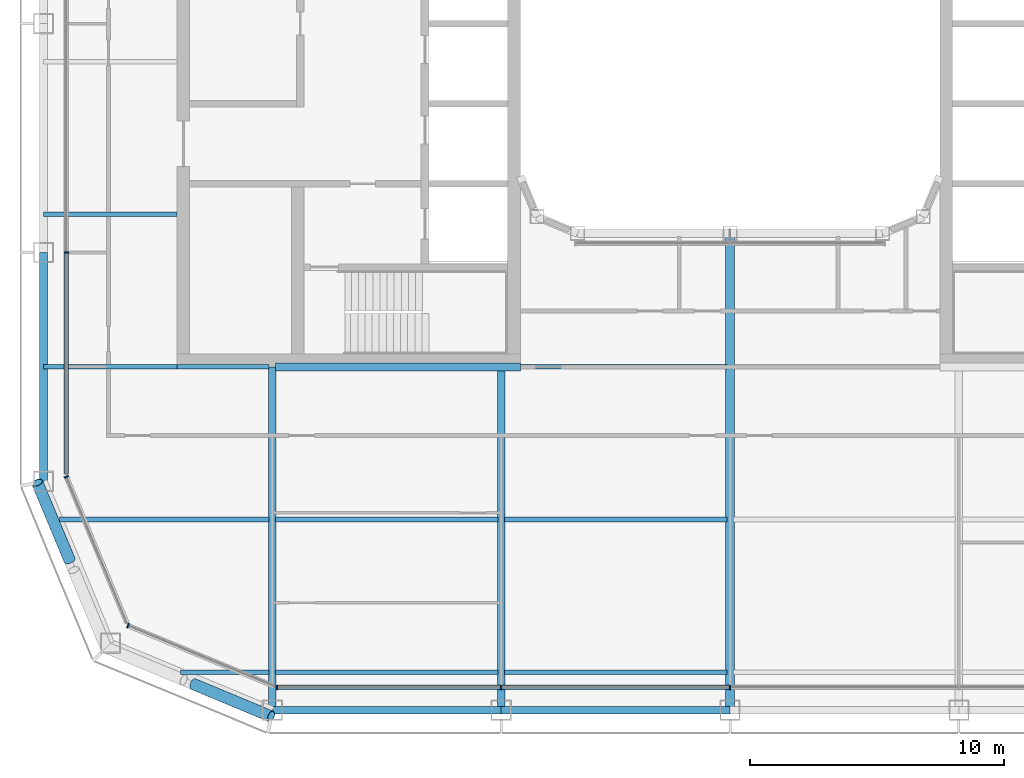
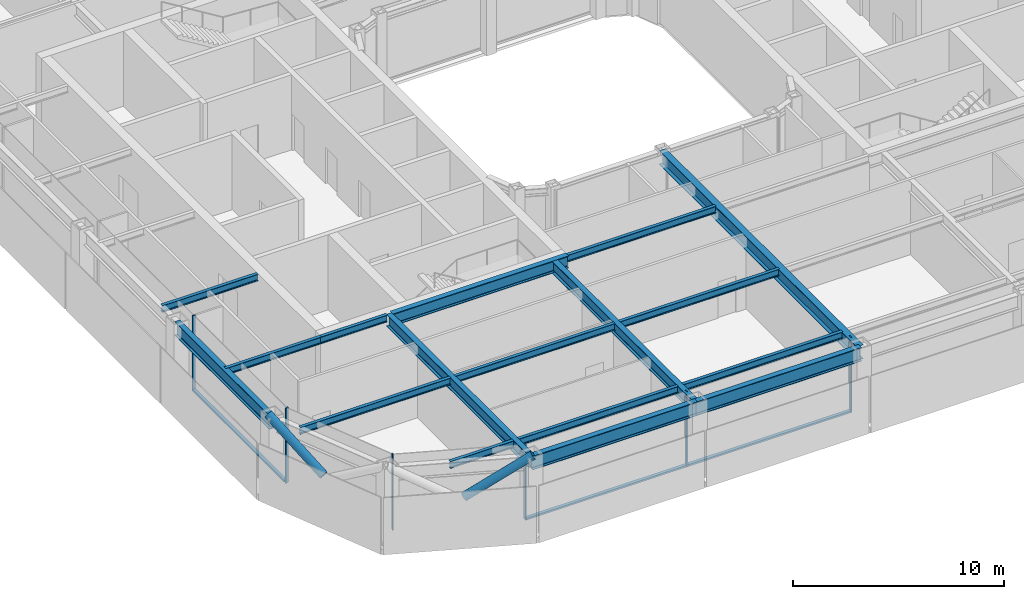
# One storey, part 2 of 23: 17 beams, 11 members, 4 elements without a shape of their own.
"""IFC4 building model written with IfcOpenShell, lengths in metres."""

from ifc_helpers import new_model, si_unit, direction, frame, origin, origin_2d, place, context, subcontext, project, spatial, rectangle, hollow_circle, i_section, extrude, material, layer, layer_set, material_profile, profile_set, type_object, element, aggregate, save


model = new_model("IFC4")

# Units and contexts
model_context = context("Model", 3, precision=1e-05, world=origin(), true_north=direction((0.0, 1.0)))
body_context = subcontext(model_context, "Body", "Model", "MODEL_VIEW")
ifc_project = project(units=[si_unit("LENGTHUNIT", "METRE"), si_unit("AREAUNIT", "SQUARE_METRE"), si_unit("VOLUMEUNIT", "CUBIC_METRE"), si_unit("PLANEANGLEUNIT", "RADIAN"), si_unit("MASSUNIT", "GRAM", prefix="KILO")], contexts=[model_context])

# Site, building, storey
site_placement = place(None, origin())
site = spatial("IfcSite", under=ifc_project, at=site_placement, CompositionType="ELEMENT")
building_placement = place(site_placement, origin())
building = spatial("IfcBuilding", under=site, at=building_placement, Name="Siwar Civic Tower", CompositionType="ELEMENT")
storey_placement = place(building_placement, frame((0.0, 0.0, 260.199951171875)))
storey = spatial("IfcBuildingStorey", under=building, at=storey_placement, Name="L56", CompositionType="ELEMENT", Elevation=260.199951171875)

# Curtain wall, members
ifc_material_1 = material(Name="Aluminium and glass", Category="aluminium")
ifc_layer_1 = layer(ifc_material_1, 0.179931640625)
ifc_layer_set_1 = layer_set([ifc_layer_1], Name="Aluminium and glass")
curtain_wall_type_1 = type_object("IfcCurtainWallType", Name="ENV-CW-C", PredefinedType="NOTDEFINED", material=ifc_layer_set_1)
curtain_wall_1_placement = place(storey_placement, origin())
curtain_wall_1 = element("IfcCurtainWall", 1, at=curtain_wall_1_placement, inside=storey, type_object=curtain_wall_type_1, Name="Curtain wall C S", PredefinedType="NOTDEFINED")
ifc_material_2 = material(Name="Aluminium 6063-T6", Category="aluminium")
ifc_material_profile_1 = material_profile(ifc_material_2, rectangle(XDim=0.179931640625, YDim=0.06005859375, at=origin_2d()), Name="AL 180x60")
ifc_profile_set_1 = profile_set([ifc_material_profile_1], Name="Aluminium 6063-T6")
member_type_1 = type_object("IfcMemberType", Name="ENV-MULLION-C", PredefinedType="MULLION", material=ifc_profile_set_1)
member_1_placement = place(storey_placement, frame((-17.821044921875, -26.10009765625, 0.0), z_axis=(0.0, 0.0, 1.0), x_axis=(0.0, 1.0, 0.0)))
member_1 = element("IfcMember", 2, at=member_1_placement, type_object=member_type_1, Name="Mullion C S 1", PredefinedType="MULLION", context=body_context, shape_type="SweptSolid", body=[
    extrude(rectangle(XDim=0.179931640625, YDim=0.06005859375, at=origin_2d()), origin(), (0.0, 0.0, 1.0), 4.35009765625),
])
member_2_placement = place(storey_placement, frame((-9.0, -26.10009765625, 0.0), z_axis=(0.0, 0.0, 1.0), x_axis=(0.0, 1.0, 0.0)))
member_2 = element("IfcMember", 3, at=member_2_placement, type_object=member_type_1, Name="Mullion C S 2", PredefinedType="MULLION", context=body_context, shape_type="SweptSolid", body=[
    extrude(rectangle(XDim=0.179931640625, YDim=0.06005859375, at=origin_2d()), origin(), (0.0, 0.0, 1.0), 4.35009765625),
])
member_3_placement = place(storey_placement, frame((0.0, -26.10009765625, 0.0), z_axis=(0.0, 0.0, 1.0), x_axis=(0.0, 1.0, 0.0)))
member_3 = element("IfcMember", 4, at=member_3_placement, type_object=member_type_1, Name="Mullion C S 3", PredefinedType="MULLION", context=body_context, shape_type="SweptSolid", body=[
    extrude(rectangle(XDim=0.179931640625, YDim=0.06005859375, at=origin_2d()), origin(), (0.0, 0.0, 1.0), 4.35009765625),
])

# Curtain wall, member
curtain_wall_2_placement = place(storey_placement, origin())
curtain_wall_2 = element("IfcCurtainWall", 5, at=curtain_wall_2_placement, inside=storey, type_object=curtain_wall_type_1, Name="Curtain wall C W", PredefinedType="NOTDEFINED")
member_4_placement = place(storey_placement, frame((-26.10009765625, -9.0, 0.0), z_axis=(0.0, 0.0, 1.0), x_axis=(1.0, 0.0, 0.0)))
member_4 = element("IfcMember", 6, at=member_4_placement, type_object=member_type_1, Name="Mullion C W 4", PredefinedType="MULLION", context=body_context, shape_type="SweptSolid", body=[
    extrude(rectangle(XDim=0.179931640625, YDim=0.06005859375, at=origin_2d()), origin(), (0.0, 0.0, 1.0), 4.35009765625),
])

ifc_material_3 = material(Name="Aluminium clad insulated panel", Category="aluminium")
ifc_layer_2 = layer(ifc_material_3, 0.179931640625)
ifc_layer_set_2 = layer_set([ifc_layer_2], Name="Aluminium clad insulated panel")
curtain_wall_type_2 = type_object("IfcCurtainWallType", Name="ENV-CW-CX", PredefinedType="NOTDEFINED", material=ifc_layer_set_2)
curtain_wall_3_placement = place(storey_placement, origin())
curtain_wall_3 = element("IfcCurtainWall", 7, at=curtain_wall_3_placement, inside=storey, type_object=curtain_wall_type_2, Name="Curtain wall C SW1", PredefinedType="NOTDEFINED")
member_5_placement = place(storey_placement, frame((-26.10009765625, -17.821044921875, 0.0), z_axis=(0.0, 0.0, 1.0), x_axis=(0.923879532511, 0.382683432365, 0.0)))
member_5 = element("IfcMember", 8, at=member_5_placement, type_object=member_type_1, Name="Mullion C SW1 1", PredefinedType="MULLION", context=body_context, shape_type="SweptSolid", body=[
    extrude(rectangle(XDim=0.179931640625, YDim=0.06005859375, at=origin_2d()), origin(), (0.0, 0.0, 1.0), 4.35009765625),
])
aggregate(curtain_wall_3, [member_5])

curtain_wall_4_placement = place(storey_placement, origin())
curtain_wall_4 = element("IfcCurtainWall", 9, at=curtain_wall_4_placement, inside=storey, type_object=curtain_wall_type_2, Name="Curtain wall C SW2", PredefinedType="NOTDEFINED")
member_6_placement = place(storey_placement, frame((-23.675048828125, -23.675048828125, 0.0), z_axis=(0.0, 0.0, 1.0), x_axis=(0.382683432365, 0.923879532511, 0.0)))
member_6 = element("IfcMember", 10, at=member_6_placement, type_object=member_type_1, Name="Mullion C SW2 1", PredefinedType="MULLION", context=body_context, shape_type="SweptSolid", body=[
    extrude(rectangle(XDim=0.179931640625, YDim=0.06005859375, at=origin_2d()), origin(), (0.0, 0.0, 1.0), 4.35009765625),
])
aggregate(curtain_wall_4, [member_6])

# Member
ifc_material_4 = material(Name="Aluminium 6063-T6", Category="aluminium")
ifc_material_profile_2 = material_profile(ifc_material_4, rectangle(XDim=0.179931640625, YDim=0.10009765625, at=origin_2d()), Name="AL 180x100")
ifc_profile_set_2 = profile_set([ifc_material_profile_2], Name="Aluminium 6063-T6")
member_type_2 = type_object("IfcMemberType", Name="ENV-TRANSOM-C", PredefinedType="USERDEFINED", material=ifc_profile_set_2)
member_7_placement = place(storey_placement, frame((-17.791015625, -26.10009765625, 0.050048828125), z_axis=(1.0, 0.0, 0.0), x_axis=(0.0, 1.0, 0.0)))
member_7 = element("IfcMember", 11, at=member_7_placement, type_object=member_type_2, Name="Transom C S 1", ObjectType="TRANSOM", PredefinedType="USERDEFINED", context=body_context, shape_type="SweptSolid", body=[
    extrude(rectangle(XDim=0.179931640625, YDim=0.10009765625, at=origin_2d()), origin(), (0.0, 0.0, 1.0), 8.760986328125),
])

member_8_placement = place(storey_placement, frame((-8.969970703125, -26.10009765625, 0.050048828125), z_axis=(1.0, 0.0, 0.0), x_axis=(0.0, 1.0, 0.0)))
member_8 = element("IfcMember", 12, at=member_8_placement, type_object=member_type_2, Name="Transom C S 2", ObjectType="TRANSOM", PredefinedType="USERDEFINED", context=body_context, shape_type="SweptSolid", body=[
    extrude(rectangle(XDim=0.179931640625, YDim=0.10009765625, at=origin_2d()), origin(), (0.0, 0.0, 1.0), 8.93994140625),
])

aggregate(curtain_wall_1, [member_1, member_2, member_3, member_7, member_8])

member_9_placement = place(storey_placement, frame((-26.10009765625, -9.030029296875, 0.050048828125), z_axis=(0.0, -1.0, 0.0), x_axis=(1.0, 0.0, 0.0)))
member_9 = element("IfcMember", 13, at=member_9_placement, type_object=member_type_2, Name="Transom C W 4", ObjectType="TRANSOM", PredefinedType="USERDEFINED", context=body_context, shape_type="SweptSolid", body=[
    extrude(rectangle(XDim=0.179931640625, YDim=0.10009765625, at=origin_2d()), origin(), (0.0, 0.0, 1.0), 8.68603515625),
])

aggregate(curtain_wall_2, [member_4, member_9])

# Members
ifc_material_5 = material(Name="Steel S355", Category="steel")
ifc_material_profile_3 = material_profile(ifc_material_5, hollow_circle(Radius=0.228515625, WallThickness=0.02001953125, at=origin_2d()), Name="CHS457x20")
ifc_profile_set_3 = profile_set([ifc_material_profile_3], Name="Steel S355")
member_type_3 = type_object("IfcMemberType", Name="STR-BR-CHS457x20", PredefinedType="BRACE", material=ifc_profile_set_3)
for number, where, z_axis, x_axis, name in (
    (14, (-21.10302734375, -25.972900390625, 2.383056640625), (0.777572496853, -0.323895306243, 0.538955325357), (0.38452107079, 0.92311621485, 0.0), "L56/brc/CSW1-16-0-3"),
    (15, (-25.972900390625, -21.10302734375, 2.383056640625), (-0.323895306243, 0.777572496853, 0.538955325357), (-0.92311621485, -0.38452107079, 0.0), "L56/brc/CSW1-16-0-5"),
):
    element("IfcMember", number, at=place(storey_placement, frame(where, z_axis=z_axis, x_axis=x_axis)), inside=storey, type_object=member_type_3, Name=name, PredefinedType="BRACE", context=body_context, shape_type="SweptSolid", body=[
        extrude(hollow_circle(Radius=0.228515625, WallThickness=0.02001953125, at=origin_2d()), origin(), (0.0, 0.0, 1.0), 3.927978515625),
    ])

# Beams
ifc_material_6 = material(Name="Steel S355", Category="steel")
ifc_material_profile_4 = material_profile(ifc_material_6, i_section(OverallWidth=0.179931640625, OverallDepth=0.39990234375, WebThickness=0.008544921875, FlangeThickness=0.013427734375, FilletRadius=0.02099609375, at=origin_2d()), Name="IPE400")
ifc_profile_set_4 = profile_set([ifc_material_profile_4], Name="Steel S355")
beam_type_1 = type_object("IfcBeamType", Name="STR-FB-IPE400", PredefinedType="JOIST", material=ifc_profile_set_4)
beam_1_placement = place(storey_placement, frame((-21.621337890625, -25.5, 4.150146484375), z_axis=(1.0, 0.0, 0.0), x_axis=(0.0, 1.0, 0.0)))
element("IfcBeam", 16, at=beam_1_placement, inside=storey, type_object=beam_type_1, Name="L56/bm/F001", PredefinedType="JOIST", context=body_context, shape_type="SweptSolid", body=[
    extrude(i_section(OverallWidth=0.179931640625, OverallDepth=0.39990234375, WebThickness=0.008544921875, FlangeThickness=0.013427734375, FilletRadius=0.02099609375, at=origin_2d()), origin(), (0.0, 0.0, 1.0), 3.491455078125),
])
for number, where, z_axis, x_axis, name in (
    (17, (-17.8701171875, -25.5, 4.150146484375), (1.0, 0.0, 0.0), (0.0, 1.0, 0.0), "L56/bm/F002"),
    (18, (-8.8701171875, -25.5, 4.150146484375), (1.0, 0.0, 0.0), (0.0, 1.0, 0.0), "L56/bm/F003"),
):
    element("IfcBeam", number, at=place(storey_placement, frame(where, z_axis=z_axis, x_axis=x_axis)), inside=storey, type_object=beam_type_1, Name=name, PredefinedType="JOIST", context=body_context, shape_type="SweptSolid", body=[
        extrude(i_section(OverallWidth=0.179931640625, OverallDepth=0.39990234375, WebThickness=0.008544921875, FlangeThickness=0.013427734375, FilletRadius=0.02099609375, at=origin_2d()), origin(), (0.0, 0.0, 1.0), 8.740234375),
    ])
beam_2_placement = place(storey_placement, frame((-26.378662109375, -19.5, 4.150146484375), z_axis=(1.0, 0.0, 0.0), x_axis=(0.0, 1.0, 0.0)))
element("IfcBeam", 19, at=beam_2_placement, inside=storey, type_object=beam_type_1, Name="L56/bm/F007", PredefinedType="JOIST", context=body_context, shape_type="SweptSolid", body=[
    extrude(i_section(OverallWidth=0.179931640625, OverallDepth=0.39990234375, WebThickness=0.008544921875, FlangeThickness=0.013427734375, FilletRadius=0.02099609375, at=origin_2d()), origin(), (0.0, 0.0, 1.0), 8.248779296875),
])
for number, where, z_axis, x_axis, name in (
    (20, (-17.8701171875, -19.5, 4.150146484375), (1.0, 0.0, 0.0), (0.0, 1.0, 0.0), "L56/bm/F008"),
    (21, (-8.8701171875, -19.5, 4.150146484375), (1.0, 0.0, 0.0), (0.0, 1.0, 0.0), "L56/bm/F009"),
):
    element("IfcBeam", number, at=place(storey_placement, frame(where, z_axis=z_axis, x_axis=x_axis)), inside=storey, type_object=beam_type_1, Name=name, PredefinedType="JOIST", context=body_context, shape_type="SweptSolid", body=[
        extrude(i_section(OverallWidth=0.179931640625, OverallDepth=0.39990234375, WebThickness=0.008544921875, FlangeThickness=0.013427734375, FilletRadius=0.02099609375, at=origin_2d()), origin(), (0.0, 0.0, 1.0), 8.740234375),
    ])
beam_3_placement = place(storey_placement, frame((-27.0, -13.5, 4.150146484375), z_axis=(1.0, 0.0, 0.0), x_axis=(0.0, 1.0, 0.0)))
element("IfcBeam", 22, at=beam_3_placement, inside=storey, type_object=beam_type_1, Name="L56/bm/F013", PredefinedType="JOIST", context=body_context, shape_type="SweptSolid", body=[
    extrude(i_section(OverallWidth=0.179931640625, OverallDepth=0.39990234375, WebThickness=0.008544921875, FlangeThickness=0.013427734375, FilletRadius=0.02099609375, at=origin_2d()), origin(), (0.0, 0.0, 1.0), 5.25),
])
beam_4_placement = place(storey_placement, frame((-21.75, -13.5, 4.150146484375), z_axis=(1.0, 0.0, 0.0), x_axis=(0.0, 1.0, 0.0)))
element("IfcBeam", 23, at=beam_4_placement, inside=storey, type_object=beam_type_1, Name="L56/bm/F014", PredefinedType="JOIST", context=body_context, shape_type="SweptSolid", body=[
    extrude(i_section(OverallWidth=0.179931640625, OverallDepth=0.39990234375, WebThickness=0.008544921875, FlangeThickness=0.013427734375, FilletRadius=0.02099609375, at=origin_2d()), origin(), (0.0, 0.0, 1.0), 3.6201171875),
])
beam_5_placement = place(storey_placement, frame((-8.25, -13.5, 4.150146484375), z_axis=(1.0, 0.0, 0.0), x_axis=(0.0, 1.0, 0.0)))
element("IfcBeam", 24, at=beam_5_placement, inside=storey, type_object=beam_type_1, Name="L56/bm/F016", PredefinedType="JOIST", context=body_context, shape_type="SweptSolid", body=[
    extrude(i_section(OverallWidth=0.179931640625, OverallDepth=0.39990234375, WebThickness=0.008544921875, FlangeThickness=0.013427734375, FilletRadius=0.02099609375, at=origin_2d()), origin(), (0.0, 0.0, 1.0), 8.1201171875),
])
beam_6_placement = place(storey_placement, frame((-27.0, -7.5, 4.150146484375), z_axis=(1.0, 0.0, 0.0), x_axis=(0.0, 1.0, 0.0)))
element("IfcBeam", 25, at=beam_6_placement, inside=storey, type_object=beam_type_1, Name="L56/bm/F021", PredefinedType="JOIST", context=body_context, shape_type="SweptSolid", body=[
    extrude(i_section(OverallWidth=0.179931640625, OverallDepth=0.39990234375, WebThickness=0.008544921875, FlangeThickness=0.013427734375, FilletRadius=0.02099609375, at=origin_2d()), origin(), (0.0, 0.0, 1.0), 5.25),
])
ifc_material_7 = material(Name="Steel S355", Category="steel")
ifc_material_profile_5 = material_profile(ifc_material_7, i_section(OverallWidth=0.300048828125, OverallDepth=0.699951171875, WebThickness=0.01708984375, FlangeThickness=0.031982421875, FilletRadius=0.027099609375, at=origin_2d()), Name="HEB700")
ifc_profile_set_5 = profile_set([ifc_material_profile_5], Name="Steel S355")
beam_type_2 = type_object("IfcBeamType", Name="STR-PG-HEB700", PredefinedType="BEAM", material=ifc_profile_set_5)
for number, where, z_axis, x_axis, name in (
    (26, (-18.0, -27.0, 4.0), (0.0, 1.0, 0.0), (-1.0, 0.0, 0.0), "L56/bm/G01"),
    (27, (-9.0, -27.0, 4.0), (0.0, 1.0, 0.0), (-1.0, 0.0, 0.0), "L56/bm/G03"),
):
    element("IfcBeam", number, at=place(storey_placement, frame(where, z_axis=z_axis, x_axis=x_axis)), inside=storey, type_object=beam_type_2, Name=name, PredefinedType="BEAM", context=body_context, shape_type="SweptSolid", body=[
        extrude(i_section(OverallWidth=0.300048828125, OverallDepth=0.699951171875, WebThickness=0.01708984375, FlangeThickness=0.031982421875, FilletRadius=0.027099609375, at=origin_2d()), origin(), (0.0, 0.0, 1.0), 13.5),
    ])
beam_7_placement = place(storey_placement, frame((-17.8701171875, -13.5, 4.0), z_axis=(1.0, 0.0, 0.0), x_axis=(0.0, 1.0, 0.0)))
element("IfcBeam", 28, at=beam_7_placement, inside=storey, type_object=beam_type_2, Name="L56/bm/F015", PredefinedType="BEAM", context=body_context, shape_type="SweptSolid", body=[
    extrude(i_section(OverallWidth=0.300048828125, OverallDepth=0.699951171875, WebThickness=0.01708984375, FlangeThickness=0.031982421875, FilletRadius=0.027099609375, at=origin_2d()), origin(), (0.0, 0.0, 1.0), 9.6201171875),
])
ifc_material_8 = material(Name="Steel S355", Category="steel")
ifc_material_profile_6 = material_profile(ifc_material_8, i_section(OverallWidth=0.360107421875, OverallDepth=0.800048828125, WebThickness=0.013916015625, FlangeThickness=0.031982421875, at=origin_2d()), Name="PG800x360x14x32")
ifc_profile_set_6 = profile_set([ifc_material_profile_6], Name="Steel S355")
beam_type_3 = type_object("IfcBeamType", Name="STR-PG-PG800x360x14x32", PredefinedType="BEAM", material=ifc_profile_set_6)
beam_8_placement = place(storey_placement, frame((0.0, -27.0, 3.949951171875), z_axis=(0.0, 1.0, 0.0), x_axis=(-1.0, 0.0, 0.0)))
element("IfcBeam", 29, at=beam_8_placement, inside=storey, type_object=beam_type_3, Name="L56/bm/G05", PredefinedType="BEAM", context=body_context, shape_type="SweptSolid", body=[
    extrude(i_section(OverallWidth=0.360107421875, OverallDepth=0.800048828125, WebThickness=0.013916015625, FlangeThickness=0.031982421875, at=origin_2d()), origin(), (0.0, 0.0, 1.0), 18.75),
])
ifc_material_9 = material(Name="Steel S355", Category="steel")
ifc_material_profile_7 = material_profile(ifc_material_9, i_section(OverallWidth=0.300048828125, OverallDepth=0.800048828125, WebThickness=0.017578125, FlangeThickness=0.032958984375, FilletRadius=0.030029296875, at=origin_2d()), Name="HEB800")
ifc_profile_set_7 = profile_set([ifc_material_profile_7], Name="Steel S355")
beam_type_4 = type_object("IfcBeamType", Name="STR-SB-HEB800", PredefinedType="BEAM", material=ifc_profile_set_7)
for number, where, z_axis, x_axis, name in (
    (30, (-18.0, -27.0, 3.949951171875), (1.0, 0.0, 0.0), (0.0, 1.0, 0.0), "L56/bm/SS-0"),
    (31, (-9.0, -27.0, 3.949951171875), (1.0, 0.0, 0.0), (0.0, 1.0, 0.0), "L56/bm/SS-1"),
    (32, (-27.0, -9.0, 3.949951171875), (0.0, -1.0, 0.0), (1.0, 0.0, 0.0), "L56/bm/SW-3"),
):
    element("IfcBeam", number, at=place(storey_placement, frame(where, z_axis=z_axis, x_axis=x_axis)), inside=storey, type_object=beam_type_4, Name=name, PredefinedType="BEAM", context=body_context, shape_type="SweptSolid", body=[
        extrude(i_section(OverallWidth=0.300048828125, OverallDepth=0.800048828125, WebThickness=0.017578125, FlangeThickness=0.032958984375, FilletRadius=0.030029296875, at=origin_2d()), origin(), (0.0, 0.0, 1.0), 9.0),
    ])

save(model, "model.ifc")
